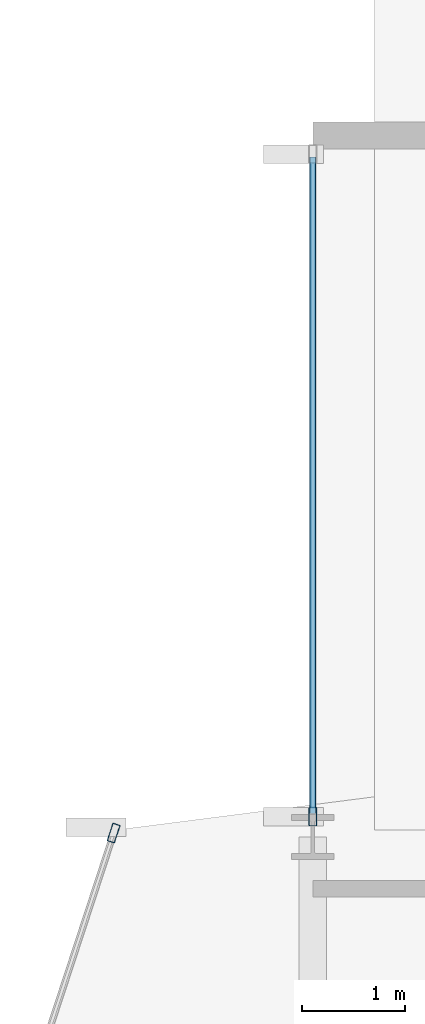
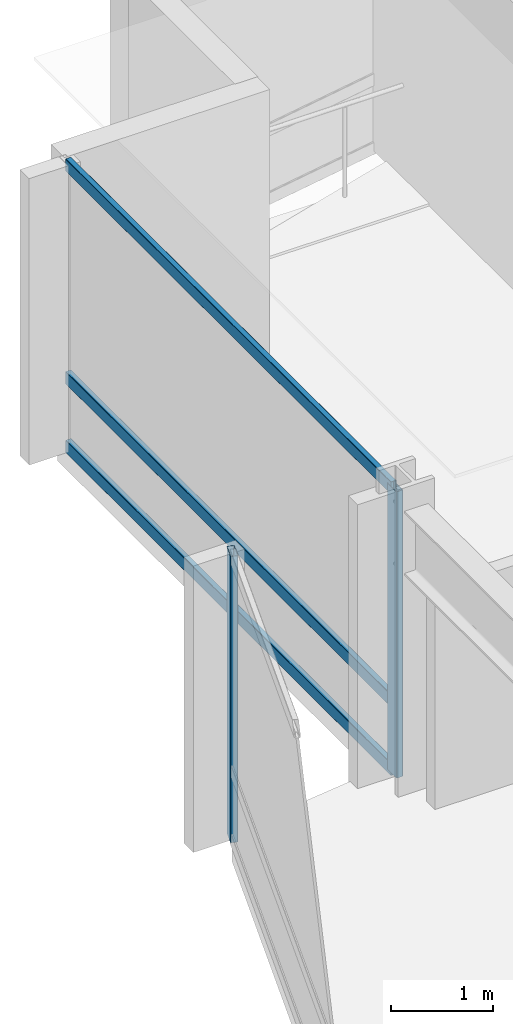
# One storey, part 16 of 28: 5 members, 2 elements without a shape of their own.
"""IFC4 building model written with IfcOpenShell, lengths in metres."""

from ifc_helpers import new_model, si_unit, direction, frame, origin, origin_2d, place, context, subcontext, project, spatial, hollow_rectangle, extrude, material, layer, layer_set, material_profile, profile_set, type_object, element, aggregate, save


model = new_model("IFC4")

# Units and contexts
model_context = context("Model", 3, precision=1e-05, world=origin(), true_north=direction((0.0, 1.0)))
body_context = subcontext(model_context, "Body", "Model", "MODEL_VIEW")
ifc_project = project(units=[si_unit("LENGTHUNIT", "METRE"), si_unit("AREAUNIT", "SQUARE_METRE"), si_unit("VOLUMEUNIT", "CUBIC_METRE"), si_unit("PLANEANGLEUNIT", "RADIAN"), si_unit("MASSUNIT", "GRAM", prefix="KILO")], contexts=[model_context])

# Site, building, storey
site_placement = place(None, origin())
site = spatial("IfcSite", under=ifc_project, at=site_placement, CompositionType="ELEMENT")
building_placement = place(site_placement, origin())
building = spatial("IfcBuilding", under=site, at=building_placement, Name="Solvaryn Broadcast Tower", CompositionType="ELEMENT")
storey_placement = place(building_placement, frame((0.0, 0.0, 150.699951171875)))
storey = spatial("IfcBuildingStorey", under=building, at=storey_placement, Name="L37", CompositionType="ELEMENT", Elevation=150.699951171875)

# Curtain wall, member
ifc_material_1 = material(Name="Aluminium and Terracotta Unitised Curtain Wall", Category="masonry")
ifc_layer = layer(ifc_material_1, 0.199951171875)
ifc_layer_set = layer_set([ifc_layer], Name="CW-SYS2-LOWMID")
curtain_wall_type = type_object("IfcCurtainWallType", Name="CW-SYS2-LOWMID", PredefinedType="NOTDEFINED", material=ifc_layer_set)
curtain_wall_1_placement = place(storey_placement, origin())
curtain_wall_1 = element("IfcCurtainWall", 1, at=curtain_wall_1_placement, inside=storey, type_object=curtain_wall_type, Name="L37 Curtain Wall DR1", PredefinedType="NOTDEFINED")
ifc_material_2 = material(Name="Anodised Aluminium 6063-T6", Category="aluminium")
ifc_material_profile_1 = material_profile(ifc_material_2, hollow_rectangle(XDim=0.074951171875, YDim=0.179931640625, WallThickness=0.00390625, InnerFilletRadius=0.00390625, OuterFilletRadius=0.008056640625, at=origin_2d()))
ifc_profile_set_1 = profile_set([ifc_material_profile_1], Name="Anodised Aluminium 6063-T6")
member_type_1 = type_object("IfcMemberType", Name="CW-MUL-180", PredefinedType="MULLION", material=ifc_profile_set_1)
member_1_placement = place(storey_placement, frame((7.069580078125, 45.03857421875, 0.0), z_axis=(0.0, 0.0, 1.0), x_axis=(0.950198260794, -0.311646057547, 0.0)))
member_1 = element("IfcMember", 2, at=member_1_placement, type_object=member_type_1, Name="CWS2 mullion 1", PredefinedType="MULLION", context=body_context, shape_type="SweptSolid", body=[
    extrude(hollow_rectangle(XDim=0.074951171875, YDim=0.179931640625, WallThickness=0.00390625, InnerFilletRadius=0.00390625, OuterFilletRadius=0.008056640625, at=origin_2d()), origin(), (0.0, 0.0, 1.0), 3.420166015625),
])
aggregate(curtain_wall_1, [member_1])

# Curtain wall, members
curtain_wall_2_placement = place(storey_placement, origin())
curtain_wall_2 = element("IfcCurtainWall", 3, at=curtain_wall_2_placement, inside=storey, type_object=curtain_wall_type, Name="L37 Curtain Wall W2", PredefinedType="NOTDEFINED")
member_2_placement = place(storey_placement, frame((9.0, 45.197021484375, 0.0), z_axis=(0.0, 0.0, 1.0), x_axis=(-1.0, 0.0, 0.0)))
member_2 = element("IfcMember", 4, at=member_2_placement, type_object=member_type_1, Name="CWS2 mullion 1", PredefinedType="MULLION", context=body_context, shape_type="SweptSolid", body=[
    extrude(hollow_rectangle(XDim=0.074951171875, YDim=0.179931640625, WallThickness=0.00390625, InnerFilletRadius=0.00390625, OuterFilletRadius=0.008056640625, at=origin_2d()), origin(), (0.0, 0.0, 1.0), 3.420166015625),
])
ifc_material_3 = material(Name="Anodised Aluminium 6063-T6", Category="aluminium")
ifc_material_profile_2 = material_profile(ifc_material_3, hollow_rectangle(XDim=0.06494140625, YDim=0.14990234375, WallThickness=0.00390625, InnerFilletRadius=0.00390625, OuterFilletRadius=0.008056640625, at=origin_2d()))
ifc_profile_set_2 = profile_set([ifc_material_profile_2], Name="Anodised Aluminium 6063-T6")
member_type_2 = type_object("IfcMemberType", Name="CW-TRN-150", PredefinedType="USERDEFINED", material=ifc_profile_set_2)
member_3_placement = place(storey_placement, frame((9.0, 45.22705078125, 0.030029296875), z_axis=(0.0, 1.0, 0.0), x_axis=(-1.0, 0.0, 0.0)))
member_3 = element("IfcMember", 5, at=member_3_placement, type_object=member_type_2, Name="CWS2 transom 1.1", ObjectType="TRANSOM", PredefinedType="USERDEFINED", context=body_context, shape_type="SweptSolid", body=[
    extrude(hollow_rectangle(XDim=0.06494140625, YDim=0.14990234375, WallThickness=0.00390625, InnerFilletRadius=0.00390625, OuterFilletRadius=0.008056640625, at=origin_2d()), origin(), (0.0, 0.0, 1.0), 6.363037109375),
])
member_4_placement = place(storey_placement, frame((9.0, 45.22705078125, 0.85009765625), z_axis=(0.0, 1.0, 0.0), x_axis=(-1.0, 0.0, 0.0)))
member_4 = element("IfcMember", 6, at=member_4_placement, type_object=member_type_2, Name="CWS2 transom 1.2", ObjectType="TRANSOM", PredefinedType="USERDEFINED", context=body_context, shape_type="SweptSolid", body=[
    extrude(hollow_rectangle(XDim=0.06494140625, YDim=0.14990234375, WallThickness=0.00390625, InnerFilletRadius=0.00390625, OuterFilletRadius=0.008056640625, at=origin_2d()), origin(), (0.0, 0.0, 1.0), 6.363037109375),
])
member_5_placement = place(storey_placement, frame((9.0, 45.22705078125, 3.39013671875), z_axis=(0.0, 1.0, 0.0), x_axis=(-1.0, 0.0, 0.0)))
member_5 = element("IfcMember", 7, at=member_5_placement, type_object=member_type_2, Name="CWS2 transom 1.3", ObjectType="TRANSOM", PredefinedType="USERDEFINED", context=body_context, shape_type="SweptSolid", body=[
    extrude(hollow_rectangle(XDim=0.06494140625, YDim=0.14990234375, WallThickness=0.00390625, InnerFilletRadius=0.00390625, OuterFilletRadius=0.008056640625, at=origin_2d()), origin(), (0.0, 0.0, 1.0), 6.363037109375),
])
aggregate(curtain_wall_2, [member_2, member_3, member_4, member_5])

save(model, "model.ifc")
